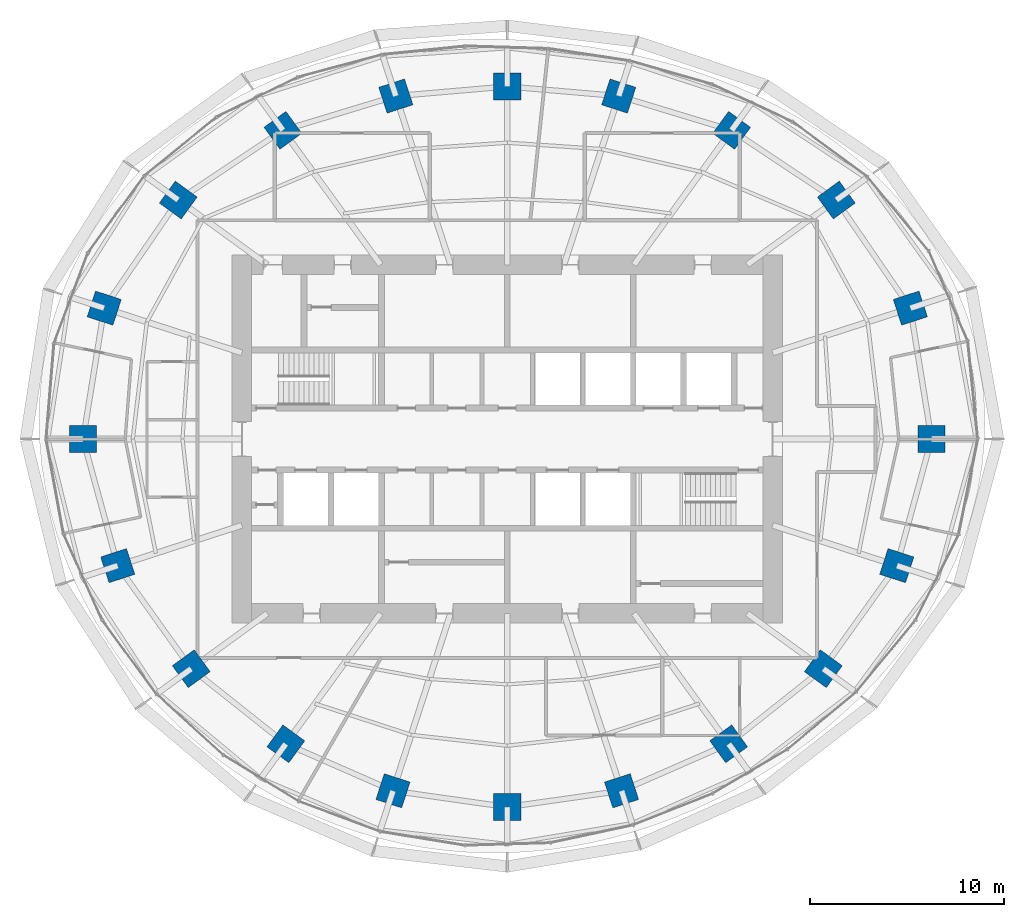
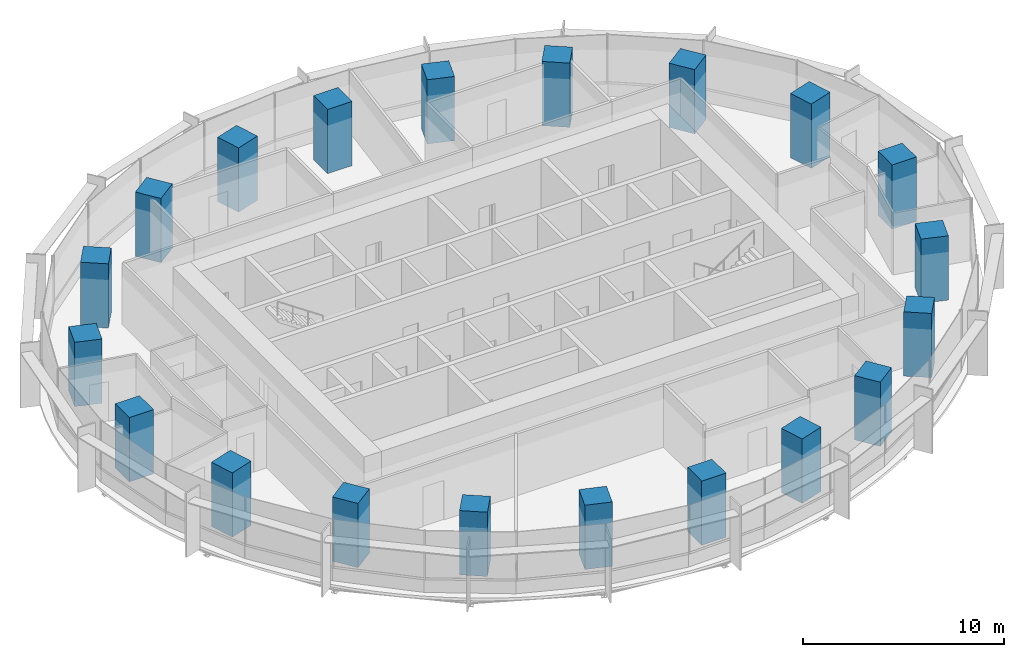
# One storey, part 1 of 14: 20 columns.
"""IFC4 building model written with IfcOpenShell, lengths in metres."""

from ifc_helpers import new_model, si_unit, direction, frame, origin, origin_2d, place, context, subcontext, project, spatial, rectangle, extrude, material, material_profile, profile_set, type_object, element, save


model = new_model("IFC4")

# Units and contexts
model_context = context("Model", 3, precision=1e-05, world=origin(), true_north=direction((0.0, 1.0)))
body_context = subcontext(model_context, "Body", "Model", "MODEL_VIEW")
ifc_project = project(units=[si_unit("LENGTHUNIT", "METRE"), si_unit("AREAUNIT", "SQUARE_METRE"), si_unit("VOLUMEUNIT", "CUBIC_METRE"), si_unit("PLANEANGLEUNIT", "RADIAN"), si_unit("MASSUNIT", "GRAM", prefix="KILO")], contexts=[model_context])

# Site, building, storey
site_placement = place(None, origin())
site = spatial("IfcSite", under=ifc_project, at=site_placement, CompositionType="ELEMENT")
building_placement = place(site_placement, origin())
building = spatial("IfcBuilding", under=site, at=building_placement, Name="Marramba Exchange Tower", CompositionType="ELEMENT")
storey_placement = place(building_placement, frame((0.0, 0.0, 179.89990234375)))
storey = spatial("IfcBuildingStorey", under=building, at=storey_placement, Name="L43", CompositionType="ELEMENT", Elevation=179.89990234375)

# Columns
ifc_material = material(Name="Concrete N50", Category="concrete")
ifc_material_profile = material_profile(ifc_material, rectangle(XDim=1.39990234375, YDim=1.39990234375, at=origin_2d()), Name="RC 1400x1400")
ifc_profile_set = profile_set([ifc_material_profile], Name="Concrete N50")
column_type = type_object("IfcColumnType", Name="Perimeter column RC 1400x1400 N50", PredefinedType="COLUMN", material=ifc_profile_set)
for number, where, z_axis, x_axis, name in (
    (1, (21.89990234375, 0.0, 0.0), (0.0, 0.0, 1.0), (1.0, 0.0, 0.0), "Column TC01 L43"),
    (2, (20.808349609375, 6.760986328125, 0.0), (0.0, 0.0, 1.0), (0.951056516295, 0.309016994375, 0.0), "Column TC02 L43"),
    (3, (16.98583984375, 12.3408203125, 0.0), (0.0, 0.0, 1.0), (0.809016994375, 0.587785252292, 0.0), "Column TC03 L43"),
    (4, (11.581298828125, 15.9404296875, 0.0), (0.0, 0.0, 1.0), (0.587785252292, 0.809016994375, 0.0), "Column TC04 L43"),
    (5, (5.75390625, 17.70849609375, 0.0), (0.0, 0.0, 1.0), (0.309016994375, 0.951056516295, 0.0), "Column TC05 L43"),
    (6, (0.0, 18.2041015625, 0.0), (0.0, 0.0, 1.0), (0.0, 1.0, 0.0), "Column TC06 L43"),
    (7, (-5.75390625, 17.70849609375, 0.0), (0.0, 0.0, 1.0), (-0.309016994375, 0.951056516295, 0.0), "Column TC07 L43"),
    (8, (-11.581298828125, 15.9404296875, 0.0), (0.0, 0.0, 1.0), (-0.587785252292, 0.809016994375, 0.0), "Column TC08 L43"),
    (9, (-16.98583984375, 12.3408203125, 0.0), (0.0, 0.0, 1.0), (-0.809016994375, 0.587785252292, 0.0), "Column TC09 L43"),
    (10, (-20.808349609375, 6.760986328125, 0.0), (0.0, 0.0, 1.0), (-0.951056516295, 0.309016994375, 0.0), "Column TC10 L43"),
    (11, (-21.89990234375, 0.0, 0.0), (0.0, 0.0, 1.0), (-1.0, 0.0, 0.0), "Column TC11 L43"),
    (12, (-20.109375, -6.533935546875, 0.0), (0.0, 0.0, 1.0), (-0.951056516295, -0.309016994375, 0.0), "Column TC12 L43"),
    (13, (-16.3154296875, -11.853759765625, 0.0), (0.0, 0.0, 1.0), (-0.809016994375, -0.587785252292, 0.0), "Column TC13 L43"),
    (14, (-11.430419921875, -15.732666015625, 0.0), (0.0, 0.0, 1.0), (-0.587785252292, -0.809016994375, 0.0), "Column TC14 L43"),
    (15, (-5.899658203125, -18.156982421875, 0.0), (0.0, 0.0, 1.0), (-0.309016994375, -0.951056516295, 0.0), "Column TC15 L43"),
    (16, (0.0, -18.99609375, 0.0), (0.0, 0.0, 1.0), (0.0, -1.0, 0.0), "Column TC16 L43"),
    (17, (5.899658203125, -18.156982421875, 0.0), (0.0, 0.0, 1.0), (0.309016994375, -0.951056516295, 0.0), "Column TC17 L43"),
    (18, (11.430419921875, -15.732666015625, 0.0), (0.0, 0.0, 1.0), (0.587785252292, -0.809016994375, 0.0), "Column TC18 L43"),
    (19, (16.3154296875, -11.853759765625, 0.0), (0.0, 0.0, 1.0), (0.809016994375, -0.587785252292, 0.0), "Column TC19 L43"),
    (20, (20.109375, -6.533935546875, 0.0), (0.0, 0.0, 1.0), (0.951056516295, -0.309016994375, 0.0), "Column TC20 L43"),
):
    element("IfcColumn", number, at=place(storey_placement, frame(where, z_axis=z_axis, x_axis=x_axis)), inside=storey, type_object=column_type, Name=name, PredefinedType="COLUMN", context=body_context, shape_type="SweptSolid", body=[
        extrude(rectangle(XDim=1.39990234375, YDim=1.39990234375, at=origin_2d()), origin(), (0.0, 0.0, 1.0), 3.900146484375),
    ])

save(model, "model.ifc")
